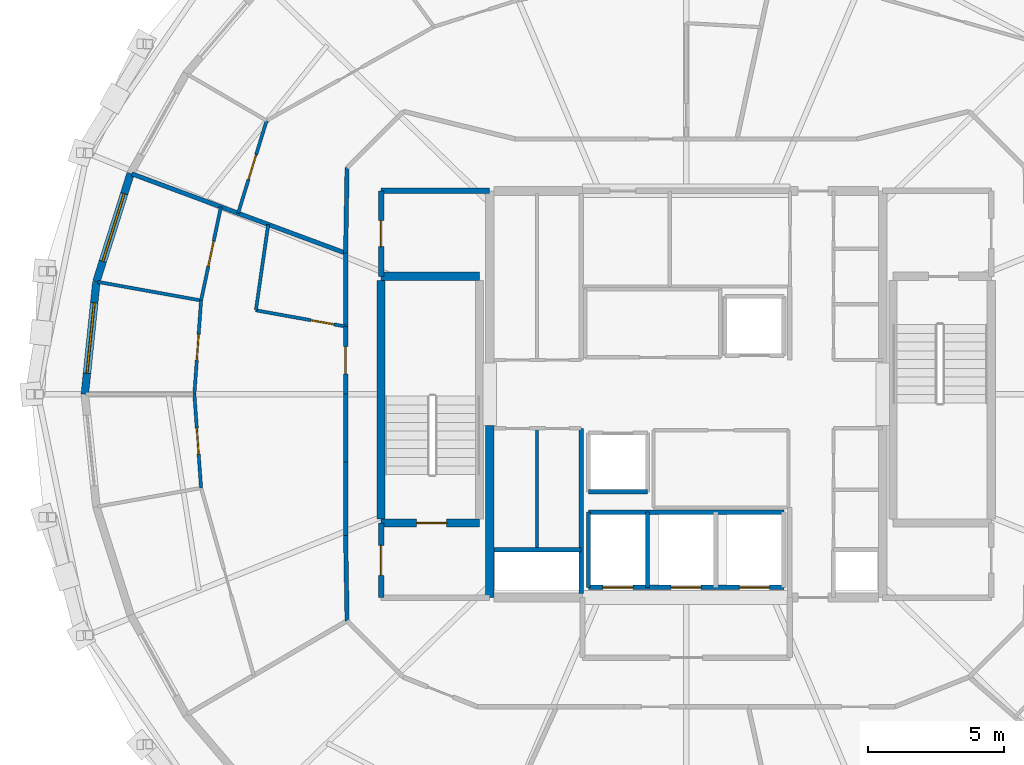
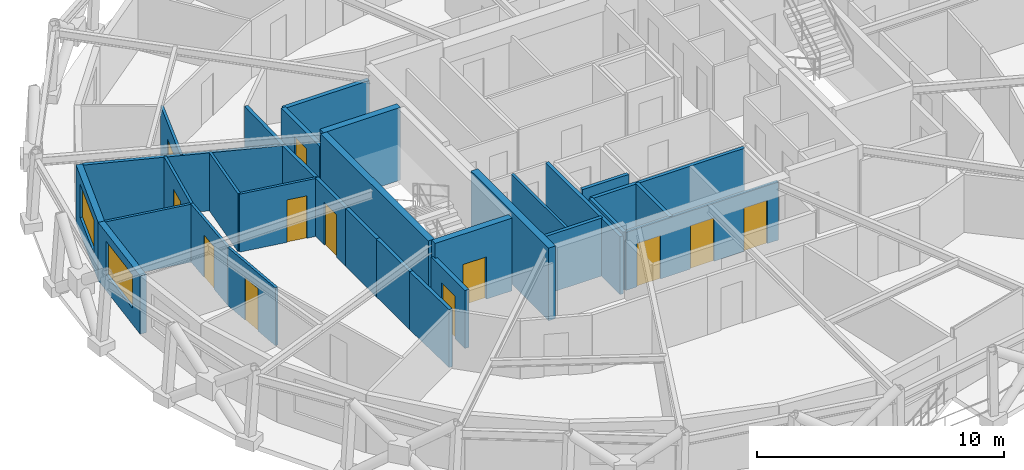
# One storey, part 12 of 17: 31 walls, 12 doors, 2 windows, 14 openings.
"""IFC4 building model written with IfcOpenShell, lengths in metres."""

import ifcopenshell
import ifcopenshell.guid

model = None  # the IFC model being written
_history = None  # IfcOwnerHistory: only IFC2X3 demands one
_inside = {}  # id of a spatial element -> (the spatial element, [elements in it])
_under = {}  # id of a project, library or spatial element -> (it, [spatial elements below it])
_declared = {}  # id of a project -> (the project, [libraries it declares])
_typed = {}  # id of a type object -> (the type object, [elements of that type])
_made_of = {}  # id of a material, layer set ... -> (it, [elements and type objects made of it])


def new_model(schema):
    """Start an empty IFC model of exactly this schema.

    Asked for "IFC4X3", IfcOpenShell would pick the latest addendum, in which some entities
    have other attributes; the version numbers below select the first issue.
    IFC2X3 requires an IfcOwnerHistory on every rooted entity: one is made here for all.
    """
    global model, _history
    if schema == "IFC4X3":
        model = ifcopenshell.file(schema_version=(4, 3, 0, 0))
    else:
        model = ifcopenshell.file(schema=schema)
    _inside.clear()
    _under.clear()
    _declared.clear()
    _typed.clear()
    _made_of.clear()
    _history = None
    if model.schema == "IFC2X3":
        org = make("IfcOrganization", Name="unknown")
        user = make(
            "IfcPersonAndOrganization",
            ThePerson=make("IfcPerson", FamilyName="unknown"),
            TheOrganization=org,
        )
        app = make(
            "IfcApplication",
            ApplicationDeveloper=org,
            Version="unknown",
            ApplicationFullName="unknown",
            ApplicationIdentifier="unknown",
        )
        _history = make(
            "IfcOwnerHistory",
            OwningUser=user,
            OwningApplication=app,
            ChangeAction="ADDED",
            CreationDate=0,
        )
    return model


def make(cls, **values):
    """One entity of the class cls with the attributes given. An attribute that is None is left unset."""
    return model.create_entity(
        cls, **{name: value for name, value in values.items() if value is not None}
    )


def rooted(cls, **values):
    """An entity with a GlobalId (a new one), such as an element, a storey or a relation."""
    return make(cls, GlobalId=ifcopenshell.guid.new(), OwnerHistory=_history, **values)


def si_unit(unit_type, name, prefix=None):
    """IfcSIUnit, for example si_unit("LENGTHUNIT", "METRE", prefix="MILLI")."""
    return make("IfcSIUnit", UnitType=unit_type, Prefix=prefix, Name=name)


def assignment(units):
    """IfcUnitAssignment: the units of a project."""
    return None if units is None else make("IfcUnitAssignment", Units=units)


def point(xyz):
    """IfcCartesianPoint."""
    return None if xyz is None else make("IfcCartesianPoint", Coordinates=xyz)


def direction(xyz):
    """IfcDirection."""
    return None if xyz is None else make("IfcDirection", DirectionRatios=xyz)


def frame(location, z_axis=None, x_axis=None):
    """IfcAxis2Placement3D, a coordinate frame: its origin and axes. An axis left out is left unset."""
    return make(
        "IfcAxis2Placement3D",
        Location=point(location),
        Axis=direction(z_axis),
        RefDirection=direction(x_axis),
    )


def frame_2d(location, x_axis=None):
    """IfcAxis2Placement2D, a coordinate frame in the plane: its origin and x axis."""
    return make(
        "IfcAxis2Placement2D", Location=point(location), RefDirection=direction(x_axis)
    )


def origin():
    """The frame at (0, 0, 0) with its axes left unset."""
    return frame((0.0, 0.0, 0.0))


def place(relative_to, where):
    """IfcLocalPlacement: puts the frame where relative to a parent placement (None: the world)."""
    return make(
        "IfcLocalPlacement", PlacementRelTo=relative_to, RelativePlacement=where
    )


def context(
    kind, dimensions, precision=None, world=None, true_north=None, identifier=None
):
    """IfcGeometricRepresentationContext, for example the 3D "Model" context."""
    return make(
        "IfcGeometricRepresentationContext",
        ContextIdentifier=identifier,
        ContextType=kind,
        CoordinateSpaceDimension=dimensions,
        Precision=precision,
        WorldCoordinateSystem=world,
        TrueNorth=true_north,
    )


def subcontext(parent, identifier, kind, view, scale=None):
    """IfcGeometricRepresentationSubContext, for example "Body" below "Model"."""
    return make(
        "IfcGeometricRepresentationSubContext",
        ContextIdentifier=identifier,
        ContextType=kind,
        ParentContext=parent,
        TargetScale=scale,
        TargetView=view,
    )


def project(units=None, contexts=None):
    """IfcProject with its units and contexts."""
    return rooted(
        "IfcProject",
        Name="project",
        RepresentationContexts=contexts,
        UnitsInContext=assignment(units),
    )


def spatial(cls, under=None, at=None, **own):
    """A site, building, storey or space (cls), placed at a placement, below another one or the project."""
    s = rooted(cls, ObjectPlacement=at, **own)
    if under is not None:
        _under.setdefault(under.id(), (under, []))[1].append(s)
    return s


def profile(cls, at=None, kind="AREA", **sizes):
    """A parametric profile (cls). Its sizes go by their IFC names, for example OverallWidth=200.0."""
    return make(cls, ProfileType=kind, Position=at, **sizes)


def rectangle(**sizes):
    """IfcRectangleProfileDef."""
    return profile("IfcRectangleProfileDef", **sizes)


def extrude(swept, where, along, depth):
    """IfcExtrudedAreaSolid: the profile swept, set in the frame where, extruded along a direction by depth."""
    return make(
        "IfcExtrudedAreaSolid",
        SweptArea=swept,
        Position=where,
        ExtrudedDirection=direction(along),
        Depth=depth,
    )


def shape(context_of_items, identifier, shape_type, items):
    """IfcShapeRepresentation: the items that make up one representation, for example the "Body"."""
    return make(
        "IfcShapeRepresentation",
        ContextOfItems=context_of_items,
        RepresentationIdentifier=identifier,
        RepresentationType=shape_type,
        Items=items,
    )


def material(Name=None, Category=None):
    """IfcMaterial."""
    return make("IfcMaterial", Name=Name, Category=Category)


def layer(
    of_material, thickness, ventilated=None, Name=None, Category=None, Priority=None
):
    """IfcMaterialLayer: one layer of a wall or slab, of a material (None: an air gap)."""
    return make(
        "IfcMaterialLayer",
        Material=of_material,
        LayerThickness=thickness,
        IsVentilated=ventilated,
        Name=Name,
        Category=Category,
        Priority=Priority,
    )


def layer_set(layers, Name=None):
    """IfcMaterialLayerSet."""
    return make("IfcMaterialLayerSet", MaterialLayers=layers, LayerSetName=Name)


def made_of(thing, what):
    """Note that an element or type object is made of a material, layer set ...; save() writes the relation."""
    if what is not None:
        _made_of.setdefault(what.id(), (what, []))[1].append(thing)
    return thing


def type_object(cls, material=None, **own):
    """A type object (cls), such as IfcWallType, which elements share."""
    return made_of(rooted(cls, **own), material)


def element(
    cls,
    number,
    at=None,
    inside=None,
    cuts=None,
    type_object=None,
    material=None,
    context=None,
    identifier="Body",
    shape_type=None,
    held_by="IfcProductDefinitionShape",
    body=None,
    shapes=None,
    **own,
):
    """One element of the class cls, such as IfcWall. Its Tag is "e" and its number.

    at: its placement. inside: the storey or other place that contains it. cuts: it is an
    opening in that element (IfcRelVoidsElement). A single representation is given by context,
    identifier, shape_type and body (its items); several are given by shapes. held_by: the class
    of the entity that holds the representations. save() writes the other relations.
    """
    e = rooted(cls, Tag="e%d" % number, ObjectPlacement=at, **own)
    if body is not None:
        shapes = [shape(context, identifier, shape_type, body)]
    if shapes is not None:
        e.Representation = make(held_by, Representations=shapes)
    if inside is not None:
        _inside.setdefault(inside.id(), (inside, []))[1].append(e)
    if cuts is not None:
        rooted(
            "IfcRelVoidsElement", RelatingBuildingElement=cuts, RelatedOpeningElement=e
        )
    if type_object is not None:
        _typed.setdefault(type_object.id(), (type_object, []))[1].append(e)
    return made_of(e, material)


def fill(opening, filler):
    """IfcRelFillsElement: the door or window that sits in an opening."""
    return rooted(
        "IfcRelFillsElement",
        RelatingOpeningElement=opening,
        RelatedBuildingElement=filler,
    )


def aggregate(whole, parts):
    """IfcRelAggregates: a whole, such as a stair, and the parts it consists of."""
    return rooted("IfcRelAggregates", RelatingObject=whole, RelatedObjects=parts)


def save(model, path):
    """Write the relations noted so far, then the file.

    IfcRelAggregates (storeys below a building ...), IfcRelContainedInSpatialStructure (elements
    in a storey), IfcRelDefinesByType, IfcRelAssociatesMaterial and IfcRelDeclares: one each for
    every whole, place, type object, material and project.
    """
    for whole, parts in _under.values():
        aggregate(whole, parts)
    for where, things in _inside.values():
        rooted(
            "IfcRelContainedInSpatialStructure",
            RelatedElements=things,
            RelatingStructure=where,
        )
    for kind, things in _typed.values():
        rooted("IfcRelDefinesByType", RelatedObjects=things, RelatingType=kind)
    for what, things in _made_of.values():
        rooted("IfcRelAssociatesMaterial", RelatedObjects=things, RelatingMaterial=what)
    for by, libraries in _declared.values():
        rooted("IfcRelDeclares", RelatingContext=by, RelatedDefinitions=libraries)
    model.write(path)


model = new_model("IFC4")

# Units and contexts
model_context = context("Model", 3, precision=1e-05, world=origin(), true_north=direction((0.0, 1.0)))
body_context = subcontext(model_context, "Body", "Model", "MODEL_VIEW")
ifc_project = project(units=[si_unit("LENGTHUNIT", "METRE"), si_unit("AREAUNIT", "SQUARE_METRE"), si_unit("VOLUMEUNIT", "CUBIC_METRE"), si_unit("PLANEANGLEUNIT", "RADIAN"), si_unit("MASSUNIT", "GRAM", prefix="KILO")], contexts=[model_context])

# Site, building, storey
site_placement = place(None, origin())
site = spatial("IfcSite", under=ifc_project, at=site_placement, CompositionType="ELEMENT")
building_placement = place(site_placement, origin())
building = spatial("IfcBuilding", under=site, at=building_placement, Name="Veldorina Hangang Commons", CompositionType="ELEMENT")
storey_placement = place(building_placement, frame((0.0, 0.0, 236.39990234375)))
storey = spatial("IfcBuildingStorey", under=building, at=storey_placement, Name="L61", CompositionType="ELEMENT", Elevation=236.39990234375)

# Wall
ifc_material_1 = material(Name="Concrete C50/60", Category="concrete")
ifc_layer_1 = layer(ifc_material_1, 0.320068359375)
ifc_layer_set_1 = layer_set([ifc_layer_1], Name="Concrete C50/60")
wall_type_1 = type_object("IfcWallType", Name="CW-RC320-C50", PredefinedType="SHEAR", material=ifc_layer_set_1)
wall_1_placement = place(storey_placement, frame((24.800048828125, 16.550048828125, 0.0), z_axis=(0.0, 0.0, 1.0), x_axis=(0.0, 1.0, 0.0)))
element("IfcWall", 1, at=wall_1_placement, inside=storey, type_object=wall_type_1, Name="L61 W south core shear wall", PredefinedType="SHEAR", context=body_context, shape_type="SweptSolid", body=[
    extrude(rectangle(XDim=6.300048828125, YDim=0.320068359375, at=frame_2d((3.14990234375, 0.0))), origin(), (0.0, 0.0, 1.0), 3.60009765625),
])

# Wall, opening, window
ifc_material_2 = material(Name="Stone Roman Travertine", Category="masonry")
ifc_layer_2 = layer(ifc_material_2, 0.280029296875)
ifc_layer_set_2 = layer_set([ifc_layer_2], Name="Stone Roman Travertine")
wall_type_2 = type_object("IfcWallType", Name="EW-TRAV-280", PredefinedType="STANDARD", material=ifc_layer_set_2)
wall_2_placement = place(storey_placement, frame((11.64111328125, 32.09228515625, 0.0), z_axis=(0.0, 0.0, 1.0), x_axis=(-0.301400977057, -0.953497483494, 0.0)))
wall_2 = element("IfcWall", 2, at=wall_2_placement, inside=storey, type_object=wall_type_2, Name="L61 travertine facade wall 14", PredefinedType="STANDARD", context=body_context, shape_type="SweptSolid", body=[
    extrude(rectangle(XDim=4.16015625, YDim=0.280029296875, at=frame_2d((2.080078125, 0.0))), origin(), (0.0, 0.0, 1.0), 2.880126953125),
])
opening_1_placement = place(wall_2_placement, frame((0.7802734375, 0.0, 0.800048828125)))
opening_1 = element("IfcOpeningElement", 3, at=opening_1_placement, cuts=wall_2, Name="Opening W-02", PredefinedType="OPENING", context=body_context, shape_type="SweptSolid", body=[
    extrude(rectangle(XDim=2.60009765625, YDim=1.64990234375, at=frame_2d((1.300048828125, 0.824951171875))), frame((0.0, 0.14990234375, 0.0), z_axis=(0.0, -1.0, 0.0), x_axis=(1.0, 0.0, 0.0)), (0.0, 0.0, 1.0), 0.300048828125),
])
ifc_material_3 = material(Name="Glass Low-E Triple IGU", Category="glass")
window_type = type_object("IfcWindowType", Name="WIN-TWR-2600", PartitioningType="SINGLE_PANEL", PredefinedType="WINDOW", material=ifc_material_3)
window_1_placement = place(opening_1_placement, origin())
window_1 = element("IfcWindow", 4, at=window_1_placement, inside=storey, type_object=window_type, Name="L61 facade window 14", OverallHeight=1.64990234375, OverallWidth=2.60009765625, PartitioningType="SINGLE_PANEL", PredefinedType="WINDOW", context=body_context, shape_type="SweptSolid", body=[
    extrude(rectangle(XDim=2.60009765625, YDim=1.64990234375, at=frame_2d((1.300048828125, 0.824951171875))), frame((0.0, 0.030029296875, 0.0), z_axis=(0.0, -1.0, 0.0), x_axis=(1.0, 0.0, 0.0)), (0.0, 0.0, 1.0), 0.06005859375),
])
fill(opening_1, window_1)

wall_3_placement = place(storey_placement, frame((10.38720703125, 28.12548828125, 0.0), z_axis=(0.0, 0.0, 1.0), x_axis=(-0.102137908712, -0.994770248652, 0.0)))
wall_3 = element("IfcWall", 5, at=wall_3_placement, inside=storey, type_object=wall_type_2, Name="L61 travertine facade wall 15", PredefinedType="STANDARD", context=body_context, shape_type="SweptSolid", body=[
    extrude(rectangle(XDim=4.147216796875, YDim=0.280029296875, at=frame_2d((2.07373046875, 0.0))), origin(), (0.0, 0.0, 1.0), 2.880126953125),
])
opening_2_placement = place(wall_3_placement, frame((0.7734375, 0.0, 0.800048828125)))
opening_2 = element("IfcOpeningElement", 6, at=opening_2_placement, cuts=wall_3, Name="Opening W-02", PredefinedType="OPENING", context=body_context, shape_type="SweptSolid", body=[
    extrude(rectangle(XDim=2.60009765625, YDim=1.64990234375, at=frame_2d((1.300048828125, 0.824951171875))), frame((0.0, 0.14990234375, 0.0), z_axis=(0.0, -1.0, 0.0), x_axis=(1.0, 0.0, 0.0)), (0.0, 0.0, 1.0), 0.300048828125),
])
window_2_placement = place(opening_2_placement, origin())
window_2 = element("IfcWindow", 7, at=window_2_placement, inside=storey, type_object=window_type, Name="L61 facade window 15", OverallHeight=1.64990234375, OverallWidth=2.60009765625, PartitioningType="SINGLE_PANEL", PredefinedType="WINDOW", context=body_context, shape_type="SweptSolid", body=[
    extrude(rectangle(XDim=2.60009765625, YDim=1.64990234375, at=frame_2d((1.300048828125, 0.824951171875))), frame((0.0, 0.030029296875, 0.0), z_axis=(0.0, -1.0, 0.0), x_axis=(1.0, 0.0, 0.0)), (0.0, 0.0, 1.0), 0.06005859375),
])
fill(opening_2, window_2)

# Wall
ifc_layer_3 = layer(ifc_material_1, 0.300048828125)
ifc_layer_set_3 = layer_set([ifc_layer_3], Name="Concrete C50/60")
wall_type_3 = type_object("IfcWallType", Name="SW-STAIR-300", PredefinedType="SHEAR", material=ifc_layer_set_3)
wall_4_placement = place(storey_placement, frame((20.820068359375, 19.429931640625, 0.0), z_axis=(0.0, 0.0, 1.0), x_axis=(0.0, 1.0, 0.0)))
element("IfcWall", 8, at=wall_4_placement, inside=storey, type_object=wall_type_3, Name="L61 ST1 outer stair shear wall", PredefinedType="SHEAR", context=body_context, shape_type="SweptSolid", body=[
    extrude(rectangle(XDim=8.739990234375, YDim=0.300048828125, at=frame_2d((4.3701171875, 0.0))), origin(), (0.0, 0.0, 1.0), 3.60009765625),
])

# Wall, opening, door
wall_5_placement = place(storey_placement, frame((20.820068359375, 19.280029296875, 0.0), z_axis=(0.0, 0.0, 1.0), x_axis=(1.0, 0.0, 0.0)))
wall_5 = element("IfcWall", 9, at=wall_5_placement, inside=storey, type_object=wall_type_3, Name="L61 ST1 south stair shear wall", PredefinedType="SHEAR", context=body_context, shape_type="SweptSolid", body=[
    extrude(rectangle(XDim=3.599853515625, YDim=0.300048828125, at=frame_2d((1.7998046875, 0.0))), origin(), (0.0, 0.0, 1.0), 3.60009765625),
])
opening_3_placement = place(wall_5_placement, frame((1.300048828125, 0.0, 0.0)))
opening_3 = element("IfcOpeningElement", 10, at=opening_3_placement, cuts=wall_5, Name="Opening D-08", PredefinedType="OPENING", context=body_context, shape_type="SweptSolid", body=[
    extrude(rectangle(XDim=1.10009765625, YDim=2.10009765625, at=frame_2d((0.550048828125, 1.050048828125))), frame((0.0, 0.16015625, 0.0), z_axis=(0.0, -1.0, 0.0), x_axis=(1.0, 0.0, 0.0)), (0.0, 0.0, 1.0), 0.320068359375),
])
ifc_material_4 = material(Name="Steel Fire-Rated Smoke Seal", Category="steel")
door_type_1 = type_object("IfcDoorType", Name="DR-FIRE-1100", OperationType="SINGLE_SWING_RIGHT", PredefinedType="DOOR", material=ifc_material_4)
door_1_placement = place(opening_3_placement, origin())
door_1 = element("IfcDoor", 11, at=door_1_placement, inside=storey, type_object=door_type_1, Name="L61 Special Escape Stair ST-1 door", OperationType="SINGLE_SWING_LEFT", OverallHeight=2.10009765625, OverallWidth=1.10009765625, PredefinedType="DOOR", context=body_context, shape_type="SweptSolid", body=[
    extrude(rectangle(XDim=1.10009765625, YDim=2.10009765625, at=frame_2d((0.550048828125, 1.050048828125))), frame((0.0, 0.02490234375, 0.0), z_axis=(0.0, -1.0, 0.0), x_axis=(1.0, 0.0, 0.0)), (0.0, 0.0, 1.0), 0.050048828125),
])
fill(opening_3, door_1)

# Walls
wall_6_placement = place(storey_placement, frame((20.820068359375, 28.320068359375, 0.0), z_axis=(0.0, 0.0, 1.0), x_axis=(1.0, 0.0, 0.0)))
element("IfcWall", 12, at=wall_6_placement, inside=storey, type_object=wall_type_3, Name="L61 ST1 north stair shear wall", PredefinedType="SHEAR", context=body_context, shape_type="SweptSolid", body=[
    extrude(rectangle(XDim=3.599853515625, YDim=0.300048828125, at=frame_2d((1.7998046875, 0.0))), origin(), (0.0, 0.0, 1.0), 3.60009765625),
])
ifc_material_5 = material(Name="Gypsum Fire-Rated Twin Stud Wall", Category="gypsum")
ifc_layer_4 = layer(ifc_material_5, 0.159912109375)
ifc_layer_set_4 = layer_set([ifc_layer_4], Name="Gypsum Fire-Rated Twin Stud Wall")
wall_type_4 = type_object("IfcWallType", Name="WL-FIRE-160", PredefinedType="SOLIDWALL", material=ifc_layer_set_4)
wall_7_placement = place(storey_placement, frame((28.419921875, 20.419921875, 0.0), z_axis=(0.0, 0.0, 1.0), x_axis=(1.0, 0.0, 0.0)))
element("IfcWall", 13, at=wall_7_placement, inside=storey, type_object=wall_type_4, Name="L61 Shuttle-high rear shaft wall 020", PredefinedType="SOLIDWALL", context=body_context, shape_type="SweptSolid", body=[
    extrude(rectangle(XDim=2.16015625, YDim=0.159912109375, at=frame_2d((1.080078125, 0.0))), origin(), (0.0, 0.0, 1.0), 2.8701171875),
])

# Wall, openings, doors
wall_8_placement = place(storey_placement, frame((28.419921875, 16.919921875, 0.0), z_axis=(0.0, 0.0, 1.0), x_axis=(1.0, 0.0, 0.0)))
wall_8 = element("IfcWall", 14, at=wall_8_placement, inside=storey, type_object=wall_type_4, Name="L61 Emergency front shaft wall 023", PredefinedType="SOLIDWALL", context=body_context, shape_type="SweptSolid", body=[
    extrude(rectangle(XDim=7.16015625, YDim=0.159912109375, at=frame_2d((3.580078125, 0.0))), origin(), (0.0, 0.0, 1.0), 2.8701171875),
])
opening_4_placement = place(wall_8_placement, frame((0.530029296875, 0.0, 0.0)))
opening_4 = element("IfcOpeningElement", 15, at=opening_4_placement, cuts=wall_8, Name="Opening LD-03", PredefinedType="OPENING", context=body_context, shape_type="SweptSolid", body=[
    extrude(rectangle(XDim=1.10009765625, YDim=2.14990234375, at=frame_2d((0.550048828125, 1.074951171875))), frame((0.0, 0.08984375, 0.0), z_axis=(0.0, -1.0, 0.0), x_axis=(1.0, 0.0, 0.0)), (0.0, 0.0, 1.0), 0.179931640625),
])
opening_5_placement = place(wall_8_placement, frame((3.030029296875, 0.0, 0.0)))
opening_5 = element("IfcOpeningElement", 16, at=opening_5_placement, cuts=wall_8, Name="Opening LD-03", PredefinedType="OPENING", context=body_context, shape_type="SweptSolid", body=[
    extrude(rectangle(XDim=1.10009765625, YDim=2.14990234375, at=frame_2d((0.550048828125, 1.074951171875))), frame((0.0, 0.08984375, 0.0), z_axis=(0.0, -1.0, 0.0), x_axis=(1.0, 0.0, 0.0)), (0.0, 0.0, 1.0), 0.179931640625),
])
opening_6_placement = place(wall_8_placement, frame((5.530029296875, 0.0, 0.0)))
opening_6 = element("IfcOpeningElement", 17, at=opening_6_placement, cuts=wall_8, Name="Opening LD-03", PredefinedType="OPENING", context=body_context, shape_type="SweptSolid", body=[
    extrude(rectangle(XDim=1.10009765625, YDim=2.14990234375, at=frame_2d((0.550048828125, 1.074951171875))), frame((0.0, 0.08984375, 0.0), z_axis=(0.0, -1.0, 0.0), x_axis=(1.0, 0.0, 0.0)), (0.0, 0.0, 1.0), 0.179931640625),
])
ifc_material_6 = material(Name="Stainless Steel Firefighting Lift Door", Category="steel")
door_type_2 = type_object("IfcDoorType", Name="DR-LIFT-FF1100", OperationType="SLIDING_TO_RIGHT", PredefinedType="DOOR", material=ifc_material_6)
door_2_placement = place(opening_4_placement, origin())
door_2 = element("IfcDoor", 18, at=door_2_placement, inside=storey, type_object=door_type_2, Name="L61 Emergency lift FFL-1 landing door 008", OperationType="SLIDING_TO_RIGHT", OverallHeight=2.14990234375, OverallWidth=1.10009765625, PredefinedType="DOOR", context=body_context, shape_type="SweptSolid", body=[
    extrude(rectangle(XDim=1.10009765625, YDim=2.14990234375, at=frame_2d((0.550048828125, 1.074951171875))), frame((0.0, 0.02490234375, 0.0), z_axis=(0.0, -1.0, 0.0), x_axis=(1.0, 0.0, 0.0)), (0.0, 0.0, 1.0), 0.050048828125),
])
fill(opening_4, door_2)
door_3_placement = place(opening_5_placement, origin())
door_3 = element("IfcDoor", 19, at=door_3_placement, inside=storey, type_object=door_type_2, Name="L61 Emergency lift FFL-2 landing door 009", OperationType="SLIDING_TO_RIGHT", OverallHeight=2.14990234375, OverallWidth=1.10009765625, PredefinedType="DOOR", context=body_context, shape_type="SweptSolid", body=[
    extrude(rectangle(XDim=1.10009765625, YDim=2.14990234375, at=frame_2d((0.550048828125, 1.074951171875))), frame((0.0, 0.02490234375, 0.0), z_axis=(0.0, -1.0, 0.0), x_axis=(1.0, 0.0, 0.0)), (0.0, 0.0, 1.0), 0.050048828125),
])
fill(opening_5, door_3)
door_4_placement = place(opening_6_placement, origin())
door_4 = element("IfcDoor", 20, at=door_4_placement, inside=storey, type_object=door_type_2, Name="L61 Emergency lift EVL-1 landing door 010", OperationType="SLIDING_TO_RIGHT", OverallHeight=2.14990234375, OverallWidth=1.10009765625, PredefinedType="DOOR", context=body_context, shape_type="SweptSolid", body=[
    extrude(rectangle(XDim=1.10009765625, YDim=2.14990234375, at=frame_2d((0.550048828125, 1.074951171875))), frame((0.0, 0.02490234375, 0.0), z_axis=(0.0, -1.0, 0.0), x_axis=(1.0, 0.0, 0.0)), (0.0, 0.0, 1.0), 0.050048828125),
])
fill(opening_6, door_4)

# Walls
wall_9_placement = place(storey_placement, frame((28.419921875, 19.679931640625, 0.0), z_axis=(0.0, 0.0, 1.0), x_axis=(1.0, 0.0, 0.0)))
element("IfcWall", 21, at=wall_9_placement, inside=storey, type_object=wall_type_4, Name="L61 Emergency rear shaft wall 024", PredefinedType="SOLIDWALL", context=body_context, shape_type="SweptSolid", body=[
    extrude(rectangle(XDim=7.16015625, YDim=0.159912109375, at=frame_2d((3.580078125, 0.0))), origin(), (0.0, 0.0, 1.0), 2.8701171875),
])
for number, where, z_axis, x_axis, name in (
    (22, (28.419921875, 16.919921875, 0.0), (0.0, 0.0, 1.0), (0.0, 1.0, 0.0), "L61 FFL-1 west shaft wall 025"),
    (23, (30.580078125, 16.919921875, 0.0), (0.0, 0.0, 1.0), (0.0, 1.0, 0.0), "L61 FFL-1 east shaft wall 026"),
):
    element("IfcWall", number, at=place(storey_placement, frame(where, z_axis=z_axis, x_axis=x_axis)), inside=storey, type_object=wall_type_4, Name=name, PredefinedType="SOLIDWALL", context=body_context, shape_type="SweptSolid", body=[
        extrude(rectangle(XDim=2.760009765625, YDim=0.159912109375, at=frame_2d((1.3798828125, 0.0))), origin(), (0.0, 0.0, 1.0), 2.8701171875),
    ])
wall_10_placement = place(storey_placement, frame((24.949951171875, 18.300048828125, 0.0), z_axis=(0.0, 0.0, 1.0), x_axis=(1.0, 0.0, 0.0)))
element("IfcWall", 24, at=wall_10_placement, inside=storey, type_object=wall_type_4, Name="L61 Electrical riser wall 041", PredefinedType="SOLIDWALL", context=body_context, shape_type="SweptSolid", body=[
    extrude(rectangle(XDim=3.199951171875, YDim=0.159912109375, at=frame_2d((1.60009765625, 0.0))), origin(), (0.0, 0.0, 1.0), 2.8701171875),
])
wall_11_placement = place(storey_placement, frame((28.14990234375, 16.699951171875, 0.0), z_axis=(0.0, 0.0, 1.0), x_axis=(0.0, 1.0, 0.0)))
element("IfcWall", 25, at=wall_11_placement, inside=storey, type_object=wall_type_4, Name="L61 SW core inner wall 042", PredefinedType="SOLIDWALL", context=body_context, shape_type="SweptSolid", body=[
    extrude(rectangle(XDim=6.050048828125, YDim=0.159912109375, at=frame_2d((3.02490234375, 0.0))), origin(), (0.0, 0.0, 1.0), 2.8701171875),
])
wall_12_placement = place(storey_placement, frame((19.5732421875, 32.30322265625, 0.0), z_axis=(0.0, 0.0, 1.0), x_axis=(-0.016981035134, -0.999855811828, 0.0)))
element("IfcWall", 26, at=wall_12_placement, inside=storey, type_object=wall_type_4, Name="L61 Compact collar outer wall 13 069", PredefinedType="SOLIDWALL", context=body_context, shape_type="SweptSolid", body=[
    extrude(rectangle(XDim=3.13427734375, YDim=0.159912109375, at=frame_2d((1.567138671875, 0.0))), origin(), (0.0, 0.0, 1.0), 2.8701171875),
])
wall_13_placement = place(storey_placement, frame((19.52001953125, 29.16943359375, 0.0), z_axis=(0.0, 0.0, 1.0), x_axis=(0.0, -1.0, 0.0)))
element("IfcWall", 27, at=wall_13_placement, inside=storey, type_object=wall_type_4, Name="L61 Compact collar outer wall 14 070", PredefinedType="SOLIDWALL", context=body_context, shape_type="SweptSolid", body=[
    extrude(rectangle(XDim=2.68701171875, YDim=0.159912109375, at=frame_2d((1.343505859375, 0.0))), origin(), (0.0, 0.0, 1.0), 2.8701171875),
])

# Wall, opening, door
wall_14_placement = place(storey_placement, frame((19.52001953125, 26.482421875, 0.0), z_axis=(0.0, 0.0, 1.0), x_axis=(0.0, -1.0, 0.0)))
wall_14 = element("IfcWall", 28, at=wall_14_placement, inside=storey, type_object=wall_type_4, Name="L61 Compact collar outer wall 15 071", PredefinedType="SOLIDWALL", context=body_context, shape_type="SweptSolid", body=[
    extrude(rectangle(XDim=2.482421875, YDim=0.159912109375, at=frame_2d((1.2412109375, 0.0))), origin(), (0.0, 0.0, 1.0), 2.8701171875),
])
opening_7_placement = place(wall_14_placement, frame((0.7412109375, 0.0, 0.0)))
opening_7 = element("IfcOpeningElement", 29, at=opening_7_placement, cuts=wall_14, Name="Opening D-06", PredefinedType="OPENING", context=body_context, shape_type="SweptSolid", body=[
    extrude(rectangle(XDim=1.0, YDim=2.10009765625, at=frame_2d((0.5, 1.050048828125))), frame((0.0, 0.08984375, 0.0), z_axis=(0.0, -1.0, 0.0), x_axis=(1.0, 0.0, 0.0)), (0.0, 0.0, 1.0), 0.179931640625),
])
ifc_material_7 = material(Name="Timber Fire-Rated Entrance Core", Category="wood")
door_type_3 = type_object("IfcDoorType", Name="DR-UNIT-1000", OperationType="SINGLE_SWING_LEFT", PredefinedType="DOOR", material=ifc_material_7)
door_5_placement = place(opening_7_placement, origin())
door_5 = element("IfcDoor", 30, at=door_5_placement, inside=storey, type_object=door_type_3, Name="L61 Cluster 4 entrance door 041", OperationType="SINGLE_SWING_LEFT", OverallHeight=2.10009765625, OverallWidth=1.0, PredefinedType="DOOR", context=body_context, shape_type="SweptSolid", body=[
    extrude(rectangle(XDim=1.0, YDim=2.10009765625, at=frame_2d((0.5, 1.050048828125))), frame((0.0, 0.02490234375, 0.0), z_axis=(0.0, -1.0, 0.0), x_axis=(1.0, 0.0, 0.0)), (0.0, 0.0, 1.0), 0.050048828125),
])
fill(opening_7, door_5)

# Walls
wall_15_placement = place(storey_placement, frame((19.52001953125, 24.0, 0.0), z_axis=(0.0, 0.0, 1.0), x_axis=(0.0, -1.0, 0.0)))
element("IfcWall", 31, at=wall_15_placement, inside=storey, type_object=wall_type_4, Name="L61 Compact collar outer wall 16 072", PredefinedType="SOLIDWALL", context=body_context, shape_type="SweptSolid", body=[
    extrude(rectangle(XDim=2.482421875, YDim=0.159912109375, at=frame_2d((1.2412109375, 0.0))), origin(), (0.0, 0.0, 1.0), 2.8701171875),
])
wall_16_placement = place(storey_placement, frame((19.52001953125, 21.517578125, 0.0), z_axis=(0.0, 0.0, 1.0), x_axis=(0.0, -1.0, 0.0)))
element("IfcWall", 32, at=wall_16_placement, inside=storey, type_object=wall_type_4, Name="L61 Compact collar outer wall 17 073", PredefinedType="SOLIDWALL", context=body_context, shape_type="SweptSolid", body=[
    extrude(rectangle(XDim=2.68701171875, YDim=0.159912109375, at=frame_2d((1.343505859375, 0.0))), origin(), (0.0, 0.0, 1.0), 2.8701171875),
])
wall_17_placement = place(storey_placement, frame((19.52001953125, 18.83056640625, 0.0), z_axis=(0.0, 0.0, 1.0), x_axis=(0.016981035134, -0.999855811828, 0.0)))
element("IfcWall", 33, at=wall_17_placement, inside=storey, type_object=wall_type_4, Name="L61 Compact collar outer wall 18 074", PredefinedType="SOLIDWALL", context=body_context, shape_type="SweptSolid", body=[
    extrude(rectangle(XDim=3.13427734375, YDim=0.159912109375, at=frame_2d((1.567138671875, 0.0))), origin(), (0.0, 0.0, 1.0), 2.8701171875),
])
wall_18_placement = place(storey_placement, frame((19.52001953125, 29.16943359375, 0.0), z_axis=(0.0, 0.0, 1.0), x_axis=(-0.93756283665, 0.347815938871, 0.0)))
element("IfcWall", 34, at=wall_18_placement, inside=storey, type_object=wall_type_4, Name="L61 Unit party wall 14 117", PredefinedType="SOLIDWALL", context=body_context, shape_type="SweptSolid", body=[
    extrude(rectangle(XDim=8.353515625, YDim=0.159912109375, at=frame_2d((4.1767578125, 0.0))), origin(), (0.0, 0.0, 1.0), 2.8701171875),
])

# Wall, opening, door
ifc_material_8 = material(Name="Concrete Blockwork Fire Wall C30/37", Category="masonry")
ifc_layer_5 = layer(ifc_material_8, 0.199951171875)
ifc_layer_set_5 = layer_set([ifc_layer_5], Name="Concrete Blockwork Fire Wall C30/37")
wall_type_5 = type_object("IfcWallType", Name="WL-FIRE-200", PredefinedType="SOLIDWALL", material=ifc_layer_set_5)
wall_19_placement = place(storey_placement, frame((20.820068359375, 16.550048828125, 0.0), z_axis=(0.0, 0.0, 1.0), x_axis=(0.0, 1.0, 0.0)))
wall_19 = element("IfcWall", 35, at=wall_19_placement, inside=storey, type_object=wall_type_5, Name="L61 West vestibule outer wall 001", PredefinedType="SOLIDWALL", context=body_context, shape_type="SweptSolid", body=[
    extrude(rectangle(XDim=2.72998046875, YDim=0.199951171875, at=frame_2d((1.364990234375, 0.0))), origin(), (0.0, 0.0, 1.0), 2.8701171875),
])
opening_8_placement = place(wall_19_placement, frame((0.81494140625, 0.0, 0.0)))
opening_8 = element("IfcOpeningElement", 36, at=opening_8_placement, cuts=wall_19, Name="Opening D-08", PredefinedType="OPENING", context=body_context, shape_type="SweptSolid", body=[
    extrude(rectangle(XDim=1.10009765625, YDim=2.10009765625, at=frame_2d((0.550048828125, 1.050048828125))), frame((0.0, 0.10986328125, 0.0), z_axis=(0.0, -1.0, 0.0), x_axis=(1.0, 0.0, 0.0)), (0.0, 0.0, 1.0), 0.219970703125),
])
door_6_placement = place(opening_8_placement, origin())
door_6 = element("IfcDoor", 37, at=door_6_placement, inside=storey, type_object=door_type_1, Name="L61 West vestibule west door 001", OperationType="SINGLE_SWING_LEFT", OverallHeight=2.10009765625, OverallWidth=1.10009765625, PredefinedType="DOOR", context=body_context, shape_type="SweptSolid", body=[
    extrude(rectangle(XDim=1.10009765625, YDim=2.10009765625, at=frame_2d((0.550048828125, 1.050048828125))), frame((0.0, 0.02490234375, 0.0), z_axis=(0.0, -1.0, 0.0), x_axis=(1.0, 0.0, 0.0)), (0.0, 0.0, 1.0), 0.050048828125),
])
fill(opening_8, door_6)

wall_20_placement = place(storey_placement, frame((20.820068359375, 28.320068359375, 0.0), z_axis=(0.0, 0.0, 1.0), x_axis=(0.0, 1.0, 0.0)))
wall_20 = element("IfcWall", 38, at=wall_20_placement, inside=storey, type_object=wall_type_5, Name="L61 NW core room outer wall 005", PredefinedType="SOLIDWALL", context=body_context, shape_type="SweptSolid", body=[
    extrude(rectangle(XDim=3.1298828125, YDim=0.199951171875, at=frame_2d((1.56494140625, 0.0))), origin(), (0.0, 0.0, 1.0), 2.8701171875),
])
opening_9_placement = place(wall_20_placement, frame((1.090087890625, 0.0, 0.0)))
opening_9 = element("IfcOpeningElement", 39, at=opening_9_placement, cuts=wall_20, Name="Opening D-04", PredefinedType="OPENING", context=body_context, shape_type="SweptSolid", body=[
    extrude(rectangle(XDim=0.949951171875, YDim=2.10009765625, at=frame_2d((0.47509765625, 1.050048828125))), frame((0.0, 0.10986328125, 0.0), z_axis=(0.0, -1.0, 0.0), x_axis=(1.0, 0.0, 0.0)), (0.0, 0.0, 1.0), 0.219970703125),
])
ifc_material_9 = material(Name="Timber Accessible Flush Leaf", Category="wood")
door_type_4 = type_object("IfcDoorType", Name="DR-ACC-950", OperationType="SINGLE_SWING_LEFT", PredefinedType="DOOR", material=ifc_material_9)
door_7_placement = place(opening_9_placement, origin())
door_7 = element("IfcDoor", 40, at=door_7_placement, inside=storey, type_object=door_type_4, Name="L61 NW core WC door 003", OperationType="SINGLE_SWING_LEFT", OverallHeight=2.10009765625, OverallWidth=0.949951171875, PredefinedType="DOOR", context=body_context, shape_type="SweptSolid", body=[
    extrude(rectangle(XDim=0.949951171875, YDim=2.10009765625, at=frame_2d((0.47509765625, 1.050048828125))), frame((0.0, 0.02490234375, 0.0), z_axis=(0.0, -1.0, 0.0), x_axis=(1.0, 0.0, 0.0)), (0.0, 0.0, 1.0), 0.050048828125),
])
fill(opening_9, door_7)

# Walls
wall_21_placement = place(storey_placement, frame((20.820068359375, 31.449951171875, 0.0), z_axis=(0.0, 0.0, 1.0), x_axis=(1.0, 0.0, 0.0)))
element("IfcWall", 41, at=wall_21_placement, inside=storey, type_object=wall_type_5, Name="L61 NW core room north wall 006", PredefinedType="SOLIDWALL", context=body_context, shape_type="SweptSolid", body=[
    extrude(rectangle(XDim=3.97998046875, YDim=0.199951171875, at=frame_2d((1.989990234375, 0.0))), origin(), (0.0, 0.0, 1.0), 2.8701171875),
])
ifc_material_10 = material(Name="Gypsum Acoustic Stud Partition", Category="gypsum")
ifc_layer_6 = layer(ifc_material_10, 0.1201171875)
ifc_layer_set_6 = layer_set([ifc_layer_6], Name="Gypsum Acoustic Stud Partition")
wall_type_6 = type_object("IfcWallType", Name="WL-PART-120", PredefinedType="PARTITIONING", material=ifc_layer_set_6)
wall_22_placement = place(storey_placement, frame((26.530029296875, 18.300048828125, 0.0), z_axis=(0.0, 0.0, 1.0), x_axis=(0.0, 1.0, 0.0)))
element("IfcWall", 42, at=wall_22_placement, inside=storey, type_object=wall_type_6, Name="L61 SW vertical split 052", PredefinedType="PARTITIONING", context=body_context, shape_type="SweptSolid", body=[
    extrude(rectangle(XDim=4.449951171875, YDim=0.1201171875, at=frame_2d((2.22509765625, 0.0))), origin(), (0.0, 0.0, 1.0), 2.8701171875),
])

# Wall, opening, door
wall_23_placement = place(storey_placement, frame((16.62548828125, 34.025634765625, 0.0), z_axis=(0.0, 0.0, 1.0), x_axis=(-0.294182446775, -0.955749280936, 0.0)))
wall_23 = element("IfcWall", 43, at=wall_23_placement, inside=storey, type_object=wall_type_6, Name="L61 Cluster 3 bed 6 front wall 115", PredefinedType="PARTITIONING", context=body_context, shape_type="SweptSolid", body=[
    extrude(rectangle(XDim=3.552001953125, YDim=0.1201171875, at=frame_2d((1.77587890625, 0.0))), origin(), (0.0, 0.0, 1.0), 2.8701171875),
])
opening_10_placement = place(wall_23_placement, frame((1.301025390625, 0.0, 0.0)))
opening_10 = element("IfcOpeningElement", 44, at=opening_10_placement, cuts=wall_23, Name="Opening D-02", PredefinedType="OPENING", context=body_context, shape_type="SweptSolid", body=[
    extrude(rectangle(XDim=0.949951171875, YDim=2.10009765625, at=frame_2d((0.47509765625, 1.050048828125))), frame((0.0, 0.070068359375, 0.0), z_axis=(0.0, -1.0, 0.0), x_axis=(1.0, 0.0, 0.0)), (0.0, 0.0, 1.0), 0.14013671875),
])
ifc_material_11 = material(Name="Timber Solid Core Acoustic", Category="wood")
door_type_5 = type_object("IfcDoorType", Name="DR-INT-950", OperationType="SINGLE_SWING_LEFT", PredefinedType="DOOR", material=ifc_material_11)
door_8_placement = place(opening_10_placement, origin())
door_8 = element("IfcDoor", 45, at=door_8_placement, inside=storey, type_object=door_type_5, Name="L61 Cluster 3 bed 6 door 039", OperationType="SINGLE_SWING_LEFT", OverallHeight=2.10009765625, OverallWidth=0.949951171875, PredefinedType="DOOR", context=body_context, shape_type="SweptSolid", body=[
    extrude(rectangle(XDim=0.949951171875, YDim=2.10009765625, at=frame_2d((0.47509765625, 1.050048828125))), frame((0.0, 0.02490234375, 0.0), z_axis=(0.0, -1.0, 0.0), x_axis=(1.0, 0.0, 0.0)), (0.0, 0.0, 1.0), 0.050048828125),
])
fill(opening_10, door_8)

# Wall
wall_24_placement = place(storey_placement, frame((16.68359375, 30.2216796875, 0.0), z_axis=(0.0, 0.0, 1.0), x_axis=(-0.141958767182, -0.989872571809, 0.0)))
element("IfcWall", 46, at=wall_24_placement, inside=storey, type_object=wall_type_6, Name="L61 Cluster 4 bath front wall 118", PredefinedType="PARTITIONING", context=body_context, shape_type="SweptSolid", body=[
    extrude(rectangle(XDim=3.179931640625, YDim=0.1201171875, at=frame_2d((1.58984375, 0.0))), origin(), (0.0, 0.0, 1.0), 2.8701171875),
])

# Wall, opening, door
wall_25_placement = place(storey_placement, frame((19.52001953125, 26.482421875, 0.0), z_axis=(0.0, 0.0, 1.0), x_axis=(-0.984196827571, 0.177077961922, 0.0)))
wall_25 = element("IfcWall", 47, at=wall_25_placement, inside=storey, type_object=wall_type_6, Name="L61 Cluster 4 bath side wall 119", PredefinedType="PARTITIONING", context=body_context, shape_type="SweptSolid", body=[
    extrude(rectangle(XDim=3.340576171875, YDim=0.1201171875, at=frame_2d((1.67041015625, 0.0))), origin(), (0.0, 0.0, 1.0), 2.8701171875),
])
opening_11_placement = place(wall_25_placement, frame((0.43994140625, 0.0, 0.0)))
opening_11 = element("IfcOpeningElement", 48, at=opening_11_placement, cuts=wall_25, Name="Opening D-01", PredefinedType="OPENING", context=body_context, shape_type="SweptSolid", body=[
    extrude(rectangle(XDim=0.860107421875, YDim=2.10009765625, at=frame_2d((0.43017578125, 1.050048828125))), frame((0.0, 0.070068359375, 0.0), z_axis=(0.0, -1.0, 0.0), x_axis=(1.0, 0.0, 0.0)), (0.0, 0.0, 1.0), 0.14013671875),
])
ifc_material_12 = material(Name="Timber Moisture-Resistant Core", Category="wood")
door_type_6 = type_object("IfcDoorType", Name="DR-WET-860", OperationType="SINGLE_SWING_LEFT", PredefinedType="DOOR", material=ifc_material_12)
door_9_placement = place(opening_11_placement, origin())
door_9 = element("IfcDoor", 49, at=door_9_placement, inside=storey, type_object=door_type_6, Name="L61 Cluster 4 shared bathroom door 040", OperationType="SINGLE_SWING_RIGHT", OverallHeight=2.10009765625, OverallWidth=0.860107421875, PredefinedType="DOOR", context=body_context, shape_type="SweptSolid", body=[
    extrude(rectangle(XDim=0.860107421875, YDim=2.10009765625, at=frame_2d((0.43017578125, 1.050048828125))), frame((0.0, 0.02490234375, 0.0), z_axis=(0.0, -1.0, 0.0), x_axis=(1.0, 0.0, 0.0)), (0.0, 0.0, 1.0), 0.050048828125),
])
fill(opening_11, door_9)

wall_26_placement = place(storey_placement, frame((14.9501953125, 30.86474609375, 0.0), z_axis=(0.0, 0.0, 1.0), x_axis=(-0.207459780038, -0.978243548237, 0.0)))
wall_26 = element("IfcWall", 50, at=wall_26_placement, inside=storey, type_object=wall_type_6, Name="L61 Cluster 4 bed 1 front wall 120", PredefinedType="PARTITIONING", context=body_context, shape_type="SweptSolid", body=[
    extrude(rectangle(XDim=3.505615234375, YDim=0.1201171875, at=frame_2d((1.7529296875, 0.0))), origin(), (0.0, 0.0, 1.0), 2.8701171875),
])
opening_12_placement = place(wall_26_placement, frame((1.27783203125, 0.0, 0.0)))
opening_12 = element("IfcOpeningElement", 51, at=opening_12_placement, cuts=wall_26, Name="Opening D-02", PredefinedType="OPENING", context=body_context, shape_type="SweptSolid", body=[
    extrude(rectangle(XDim=0.949951171875, YDim=2.10009765625, at=frame_2d((0.47509765625, 1.050048828125))), frame((0.0, 0.070068359375, 0.0), z_axis=(0.0, -1.0, 0.0), x_axis=(1.0, 0.0, 0.0)), (0.0, 0.0, 1.0), 0.14013671875),
])
door_10_placement = place(opening_12_placement, origin())
door_10 = element("IfcDoor", 52, at=door_10_placement, inside=storey, type_object=door_type_5, Name="L61 Cluster 4 bed 1 door 042", OperationType="SINGLE_SWING_RIGHT", OverallHeight=2.10009765625, OverallWidth=0.949951171875, PredefinedType="DOOR", context=body_context, shape_type="SweptSolid", body=[
    extrude(rectangle(XDim=0.949951171875, YDim=2.10009765625, at=frame_2d((0.47509765625, 1.050048828125))), frame((0.0, 0.02490234375, 0.0), z_axis=(0.0, -1.0, 0.0), x_axis=(1.0, 0.0, 0.0)), (0.0, 0.0, 1.0), 0.050048828125),
])
fill(opening_12, door_10)

wall_27_placement = place(storey_placement, frame((14.222900390625, 27.435302734375, 0.0), z_axis=(0.0, 0.0, 1.0), x_axis=(-0.071312539547, -0.997454019844, 0.0)))
wall_27 = element("IfcWall", 53, at=wall_27_placement, inside=storey, type_object=wall_type_6, Name="L61 Cluster 4 bed 2 front wall 121", PredefinedType="PARTITIONING", context=body_context, shape_type="SweptSolid", body=[
    extrude(rectangle(XDim=3.444091796875, YDim=0.1201171875, at=frame_2d((1.72216796875, 0.0))), origin(), (0.0, 0.0, 1.0), 2.8701171875),
])
opening_13_placement = place(wall_27_placement, frame((1.2470703125, 0.0, 0.0)))
opening_13 = element("IfcOpeningElement", 54, at=opening_13_placement, cuts=wall_27, Name="Opening D-02", PredefinedType="OPENING", context=body_context, shape_type="SweptSolid", body=[
    extrude(rectangle(XDim=0.949951171875, YDim=2.10009765625, at=frame_2d((0.47509765625, 1.050048828125))), frame((0.0, 0.070068359375, 0.0), z_axis=(0.0, -1.0, 0.0), x_axis=(1.0, 0.0, 0.0)), (0.0, 0.0, 1.0), 0.14013671875),
])
door_11_placement = place(opening_13_placement, origin())
door_11 = element("IfcDoor", 55, at=door_11_placement, inside=storey, type_object=door_type_5, Name="L61 Cluster 4 bed 2 door 043", OperationType="SINGLE_SWING_LEFT", OverallHeight=2.10009765625, OverallWidth=0.949951171875, PredefinedType="DOOR", context=body_context, shape_type="SweptSolid", body=[
    extrude(rectangle(XDim=0.949951171875, YDim=2.10009765625, at=frame_2d((0.47509765625, 1.050048828125))), frame((0.0, 0.02490234375, 0.0), z_axis=(0.0, -1.0, 0.0), x_axis=(1.0, 0.0, 0.0)), (0.0, 0.0, 1.0), 0.050048828125),
])
fill(opening_13, door_11)

# Wall
wall_28_placement = place(storey_placement, frame((14.222900390625, 27.435302734375, 0.0), z_axis=(0.0, 0.0, 1.0), x_axis=(-0.984203232283, 0.177042360933, 0.0)))
element("IfcWall", 56, at=wall_28_placement, inside=storey, type_object=wall_type_6, Name="L61 Cluster 4 bed divider 1 122", PredefinedType="PARTITIONING", context=body_context, shape_type="SweptSolid", body=[
    extrude(rectangle(XDim=3.847412109375, YDim=0.1201171875, at=frame_2d((1.923828125, 0.0))), origin(), (0.0, 0.0, 1.0), 2.8701171875),
])

# Wall, opening, door
wall_29_placement = place(storey_placement, frame((13.977294921875, 24.0, 0.0), z_axis=(0.0, 0.0, 1.0), x_axis=(0.071312539547, -0.997454019844, 0.0)))
wall_29 = element("IfcWall", 57, at=wall_29_placement, inside=storey, type_object=wall_type_6, Name="L61 Cluster 4 bed 3 front wall 123", PredefinedType="PARTITIONING", context=body_context, shape_type="SweptSolid", body=[
    extrude(rectangle(XDim=3.444091796875, YDim=0.1201171875, at=frame_2d((1.72216796875, 0.0))), origin(), (0.0, 0.0, 1.0), 2.8701171875),
])
opening_14_placement = place(wall_29_placement, frame((1.2470703125, 0.0, 0.0)))
opening_14 = element("IfcOpeningElement", 58, at=opening_14_placement, cuts=wall_29, Name="Opening D-02", PredefinedType="OPENING", context=body_context, shape_type="SweptSolid", body=[
    extrude(rectangle(XDim=0.949951171875, YDim=2.10009765625, at=frame_2d((0.47509765625, 1.050048828125))), frame((0.0, 0.070068359375, 0.0), z_axis=(0.0, -1.0, 0.0), x_axis=(1.0, 0.0, 0.0)), (0.0, 0.0, 1.0), 0.14013671875),
])
door_12_placement = place(opening_14_placement, origin())
door_12 = element("IfcDoor", 59, at=door_12_placement, inside=storey, type_object=door_type_5, Name="L61 Cluster 4 bed 3 door 044", OperationType="SINGLE_SWING_RIGHT", OverallHeight=2.10009765625, OverallWidth=0.949951171875, PredefinedType="DOOR", context=body_context, shape_type="SweptSolid", body=[
    extrude(rectangle(XDim=0.949951171875, YDim=2.10009765625, at=frame_2d((0.47509765625, 1.050048828125))), frame((0.0, 0.02490234375, 0.0), z_axis=(0.0, -1.0, 0.0), x_axis=(1.0, 0.0, 0.0)), (0.0, 0.0, 1.0), 0.050048828125),
])
fill(opening_14, door_12)

save(model, "model.ifc")
